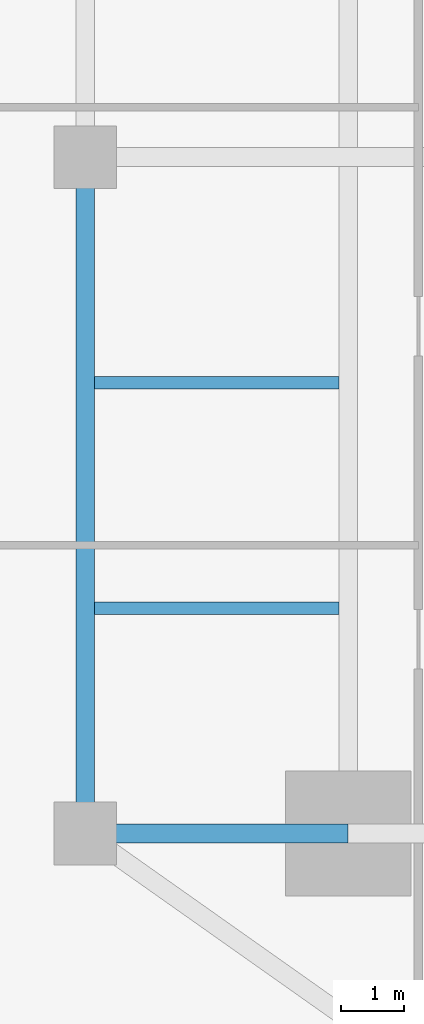
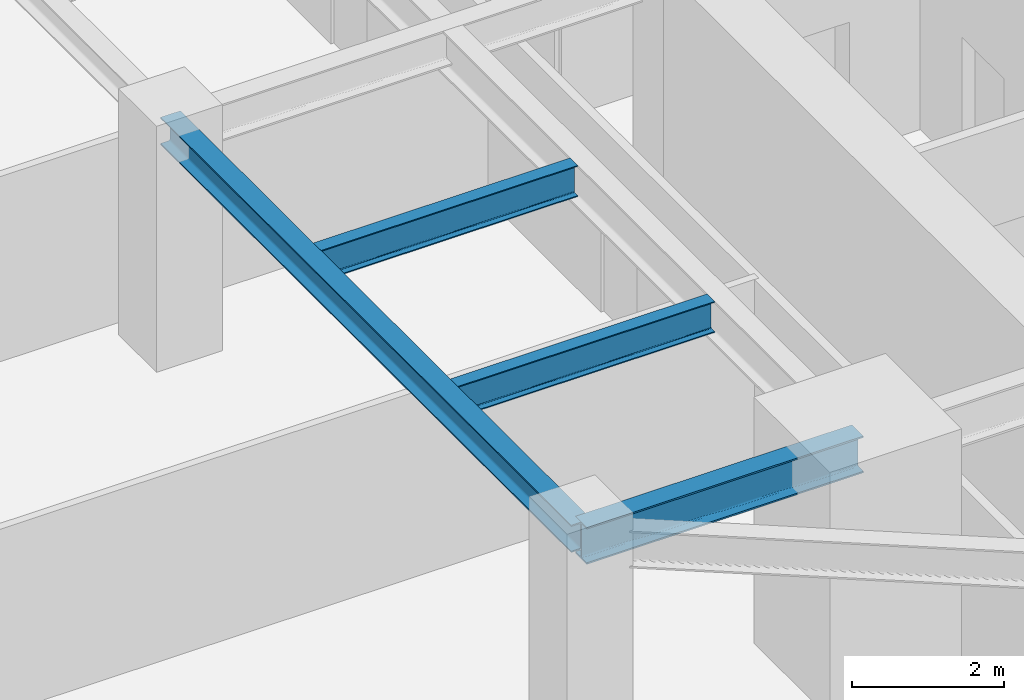
# One storey, part 7 of 26: 4 beams.
"""IFC4 building model written with IfcOpenShell, lengths in metres."""

from ifc_helpers import new_model, si_unit, direction, frame, origin, origin_2d, place, context, subcontext, project, spatial, i_section, extrude, source, transform, mapped, material, material_profile, profile_set, type_object, type_shapes, element, save


model = new_model("IFC4")

# Units and contexts
model_context = context("Model", 3, precision=1e-05, world=origin(), true_north=direction((0.0, 1.0)))
body_context = subcontext(model_context, "Body", "Model", "MODEL_VIEW")
ifc_project = project(units=[si_unit("LENGTHUNIT", "METRE"), si_unit("AREAUNIT", "SQUARE_METRE"), si_unit("VOLUMEUNIT", "CUBIC_METRE"), si_unit("PLANEANGLEUNIT", "RADIAN"), si_unit("MASSUNIT", "GRAM", prefix="KILO")], contexts=[model_context])

# Site, building, storey
site_placement = place(None, origin())
site = spatial("IfcSite", under=ifc_project, at=site_placement, CompositionType="ELEMENT")
building_placement = place(site_placement, origin())
building = spatial("IfcBuilding", under=site, at=building_placement, Name="Krantzveldt Concourse Tower", CompositionType="ELEMENT")
storey_placement = place(building_placement, frame((0.0, 0.0, 90.050048828125)))
storey = spatial("IfcBuildingStorey", under=building, at=storey_placement, Name="L21", CompositionType="ELEMENT", Elevation=90.050048828125)

# Beams
ifc_material = material(Name="Steel S355JR", Category="steel")
ifc_material_profile_1 = material_profile(ifc_material, i_section(OverallWidth=0.300048828125, OverallDepth=0.43994140625, WebThickness=0.011474609375, FlangeThickness=0.02099609375, FilletRadius=0.027099609375, at=origin_2d()), Name="Steel S355JR", Category="steel")
ifc_profile_set_1 = profile_set([ifc_material_profile_1], Name="Steel S355JR - HEA 450")
beam_type_1 = type_object("IfcBeamType", Name="BM-SP-HEA450", PredefinedType="SPANDREL", material=ifc_profile_set_1)
shared_shape_1 = source(origin(), body_context, "Body", "SweptSolid", [
    extrude(i_section(OverallWidth=0.300048828125, OverallDepth=0.43994140625, WebThickness=0.011474609375, FlangeThickness=0.02099609375, FilletRadius=0.027099609375, at=origin_2d()), origin(), (0.0, 0.0, 1.0), 10.800048828125),
])
type_shapes(beam_type_1, [shared_shape_1])
beam_1_placement = place(storey_placement, frame((21.0, 15.89990234375, 3.449951171875), z_axis=(0.0, 1.0, 0.0), x_axis=(-1.0, 0.0, 0.0)))
element("IfcBeam", 1, at=beam_1_placement, inside=storey, type_object=beam_type_1, Name="L21 Tower Girder SP-R01", PredefinedType="SPANDREL", context=body_context, shape_type="MappedRepresentation", body=[
    mapped(shared_shape_1, transform((0.0, 0.0, 0.0), x_axis=(1.0, 0.0, 0.0), y_axis=(0.0, 1.0, 0.0), z_axis=(0.0, 0.0, 1.0), scale=1.0)),
])
ifc_material_profile_2 = material_profile(ifc_material, i_section(OverallWidth=0.300048828125, OverallDepth=0.590087890625, WebThickness=0.012939453125, FlangeThickness=0.02490234375, FilletRadius=0.027099609375, at=origin_2d()), Name="Steel S355JR", Category="steel")
ifc_profile_set_2 = profile_set([ifc_material_profile_2], Name="Steel S355JR - HEA 600")
beam_type_2 = type_object("IfcBeamType", Name="BM-B-HEA600", PredefinedType="BEAM", material=ifc_profile_set_2)
shared_shape_2 = source(origin(), body_context, "Body", "SweptSolid", [
    extrude(i_section(OverallWidth=0.300048828125, OverallDepth=0.590087890625, WebThickness=0.012939453125, FlangeThickness=0.02490234375, FilletRadius=0.027099609375, at=origin_2d()), origin(), (0.0, 0.0, 1.0), 4.199951171875),
])
type_shapes(beam_type_2, [shared_shape_2])
beam_2_placement = place(storey_placement, frame((21.0, 15.89990234375, 3.375), z_axis=(1.0, 0.0, 0.0), x_axis=(0.0, 1.0, 0.0)))
element("IfcBeam", 2, at=beam_2_placement, inside=storey, type_object=beam_type_2, Name="L21 Tower Girder BR-RL1", PredefinedType="BEAM", context=body_context, shape_type="MappedRepresentation", body=[
    mapped(shared_shape_2, transform((0.0, 0.0, 0.0), x_axis=(1.0, 0.0, 0.0), y_axis=(0.0, 1.0, 0.0), z_axis=(0.0, 0.0, 1.0), scale=1.0)),
])
ifc_material_profile_3 = material_profile(ifc_material, i_section(OverallWidth=0.199951171875, OverallDepth=0.5, WebThickness=0.01025390625, FlangeThickness=0.01611328125, FilletRadius=0.02099609375, at=origin_2d()), Name="Steel S355JR", Category="steel")
ifc_profile_set_3 = profile_set([ifc_material_profile_3], Name="Steel S355JR - IPE 500")
beam_type_3 = type_object("IfcBeamType", Name="BM-J-IPE500", PredefinedType="JOIST", material=ifc_profile_set_3)
shared_shape_3 = source(origin(), body_context, "Body", "SweptSolid", [
    extrude(i_section(OverallWidth=0.199951171875, OverallDepth=0.5, WebThickness=0.01025390625, FlangeThickness=0.01611328125, FilletRadius=0.02099609375, at=origin_2d()), origin(), (0.0, 0.0, 1.0), 3.900146484375),
])
type_shapes(beam_type_3, [shared_shape_3])
for number, where, z_axis, x_axis, name in (
    (3, (21.14990234375, 19.5, 3.419921875), (1.0, 0.0, 0.0), (0.0, 1.0, 0.0), "L21 Secondary Floor Joist JW-1"),
    (4, (21.14990234375, 23.10009765625, 3.419921875), (1.0, 0.0, 0.0), (0.0, 1.0, 0.0), "L21 Secondary Floor Joist JW-2"),
):
    element("IfcBeam", number, at=place(storey_placement, frame(where, z_axis=z_axis, x_axis=x_axis)), inside=storey, type_object=beam_type_3, Name=name, PredefinedType="JOIST", context=body_context, shape_type="MappedRepresentation", body=[
        mapped(shared_shape_3, transform((0.0, 0.0, 0.0), x_axis=(1.0, 0.0, 0.0), y_axis=(0.0, 1.0, 0.0), z_axis=(0.0, 0.0, 1.0), scale=1.0)),
    ])

save(model, "model.ifc")
